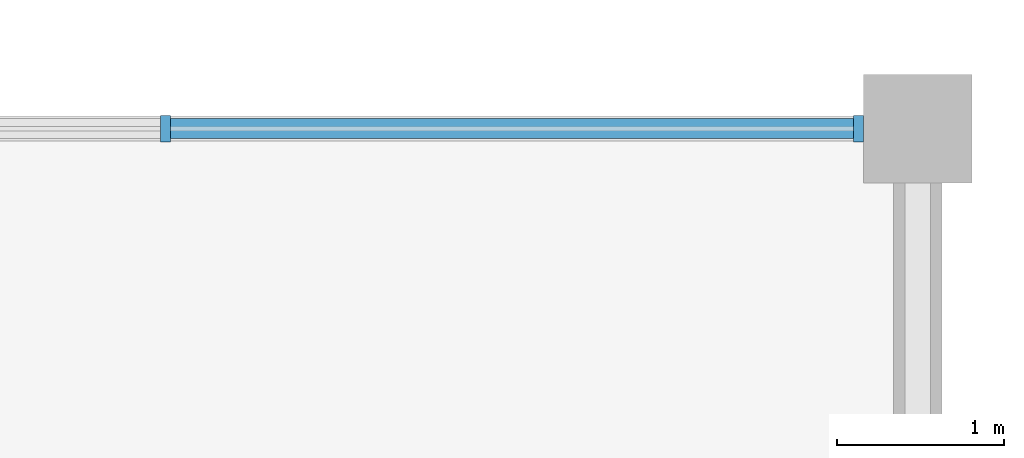
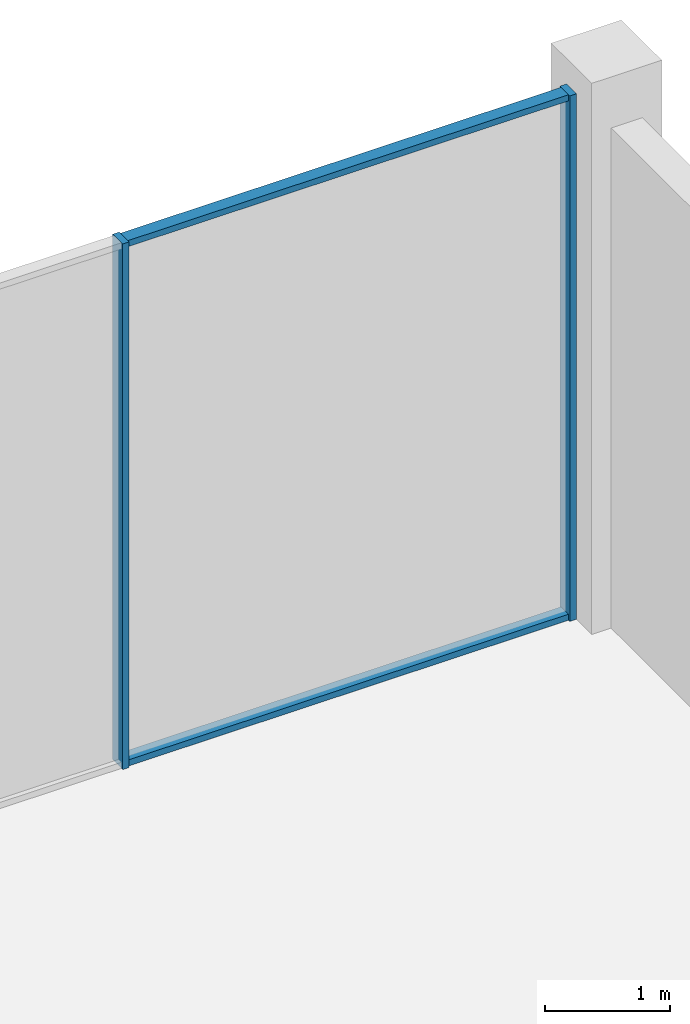
# One storey, part 54 of 111: 4 members, 1 element without a shape of its own.
"""IFC4 building model written with IfcOpenShell, lengths in metres."""

from ifc_helpers import new_model, si_unit, direction, frame, origin, origin_2d, place, context, subcontext, project, spatial, rectangle, extrude, material, layer, layer_set, material_profile, profile_set, type_object, element, aggregate, save


model = new_model("IFC4")

# Units and contexts
model_context = context("Model", 3, precision=1e-05, world=origin(), true_north=direction((0.0, 1.0)))
body_context = subcontext(model_context, "Body", "Model", "MODEL_VIEW")
ifc_project = project(units=[si_unit("LENGTHUNIT", "METRE"), si_unit("AREAUNIT", "SQUARE_METRE"), si_unit("VOLUMEUNIT", "CUBIC_METRE"), si_unit("PLANEANGLEUNIT", "RADIAN"), si_unit("MASSUNIT", "GRAM", prefix="KILO")], contexts=[model_context])

# Site, building, storey
site_placement = place(None, origin())
site = spatial("IfcSite", under=ifc_project, at=site_placement, CompositionType="ELEMENT")
building_placement = place(site_placement, origin())
building = spatial("IfcBuilding", under=site, at=building_placement, Name="Kisiwana Market Hall", CompositionType="ELEMENT")
storey_placement = place(building_placement, frame((0.0, 0.0, 11.39990234375)))
storey = spatial("IfcBuildingStorey", under=building, at=storey_placement, Name="L02", CompositionType="ELEMENT", Elevation=11.39990234375)

# Curtain wall, members
ifc_material_1 = material(Name="Double-glazed solar-control low-E IGU", Category="glass")
ifc_layer = layer(ifc_material_1, 0.159912109375)
ifc_layer_set = layer_set([ifc_layer], Name="CW-GLD-E-7200")
curtain_wall_type = type_object("IfcCurtainWallType", Name="CW-GLD-E-7200", PredefinedType="USERDEFINED", material=ifc_layer_set)
curtain_wall_placement = place(storey_placement, origin())
curtain_wall = element("IfcCurtainWall", 1, at=curtain_wall_placement, inside=storey, type_object=curtain_wall_type, Name="Unitised curtain wall CW-088 (L02)", ObjectType="UNITISED CURTAIN WALL", PredefinedType="USERDEFINED")
ifc_material_2 = material(Name="Aluminium alloy 6063-T6", Category="aluminium")
ifc_material_profile_1 = material_profile(ifc_material_2, rectangle(XDim=0.06005859375, YDim=0.159912109375, at=origin_2d()), Name="ALU MULLION 60x160")
ifc_profile_set_1 = profile_set([ifc_material_profile_1], Name="Aluminium alloy 6063-T6")
member_type_1 = type_object("IfcMemberType", Name="CW-MULL-60x160", PredefinedType="MULLION", material=ifc_profile_set_1)
member_1_placement = place(storey_placement, frame((193.5, 120.0, 0.0), z_axis=(0.0, 0.0, 1.0), x_axis=(1.0, 0.0, 0.0)))
member_1 = element("IfcMember", 2, at=member_1_placement, type_object=member_type_1, Name="CW-088 mullion 2", PredefinedType="MULLION", context=body_context, shape_type="SweptSolid", body=[
    extrude(rectangle(XDim=0.06005859375, YDim=0.159912109375, at=origin_2d()), origin(), (0.0, 0.0, 1.0), 5.150146484375),
])
member_2_placement = place(storey_placement, frame((197.64501953125, 120.0, 0.0), z_axis=(0.0, 0.0, 1.0), x_axis=(1.0, 0.0, 0.0)))
member_2 = element("IfcMember", 3, at=member_2_placement, type_object=member_type_1, Name="CW-088 mullion 3", PredefinedType="MULLION", context=body_context, shape_type="SweptSolid", body=[
    extrude(rectangle(XDim=0.06005859375, YDim=0.159912109375, at=origin_2d()), origin(), (0.0, 0.0, 1.0), 5.150146484375),
])
ifc_material_3 = material(Name="Aluminium alloy 6063-T6", Category="aluminium")
ifc_material_profile_2 = material_profile(ifc_material_3, rectangle(XDim=0.1201171875, YDim=0.06005859375, at=origin_2d()), Name="ALU TRANSOM 60x120")
ifc_profile_set_2 = profile_set([ifc_material_profile_2], Name="Aluminium alloy 6063-T6")
member_type_2 = type_object("IfcMemberType", Name="CW-TRAN-60x120", PredefinedType="USERDEFINED", material=ifc_profile_set_2)
member_3_placement = place(storey_placement, frame((193.530029296875, 120.0, 0.030029296875), z_axis=(1.0, 0.0, 0.0), x_axis=(0.0, 1.0, 0.0)))
member_3 = element("IfcMember", 4, at=member_3_placement, type_object=member_type_2, Name="CW-088 transom 2.1", ObjectType="TRANSOM", PredefinedType="USERDEFINED", context=body_context, shape_type="SweptSolid", body=[
    extrude(rectangle(XDim=0.1201171875, YDim=0.06005859375, at=origin_2d()), origin(), (0.0, 0.0, 1.0), 4.0849609375),
])
member_4_placement = place(storey_placement, frame((193.530029296875, 120.0, 5.1201171875), z_axis=(1.0, 0.0, 0.0), x_axis=(0.0, 1.0, 0.0)))
member_4 = element("IfcMember", 5, at=member_4_placement, type_object=member_type_2, Name="CW-088 transom 2.2", ObjectType="TRANSOM", PredefinedType="USERDEFINED", context=body_context, shape_type="SweptSolid", body=[
    extrude(rectangle(XDim=0.1201171875, YDim=0.06005859375, at=origin_2d()), origin(), (0.0, 0.0, 1.0), 4.0849609375),
])
aggregate(curtain_wall, [member_1, member_2, member_3, member_4])

save(model, "model.ifc")
